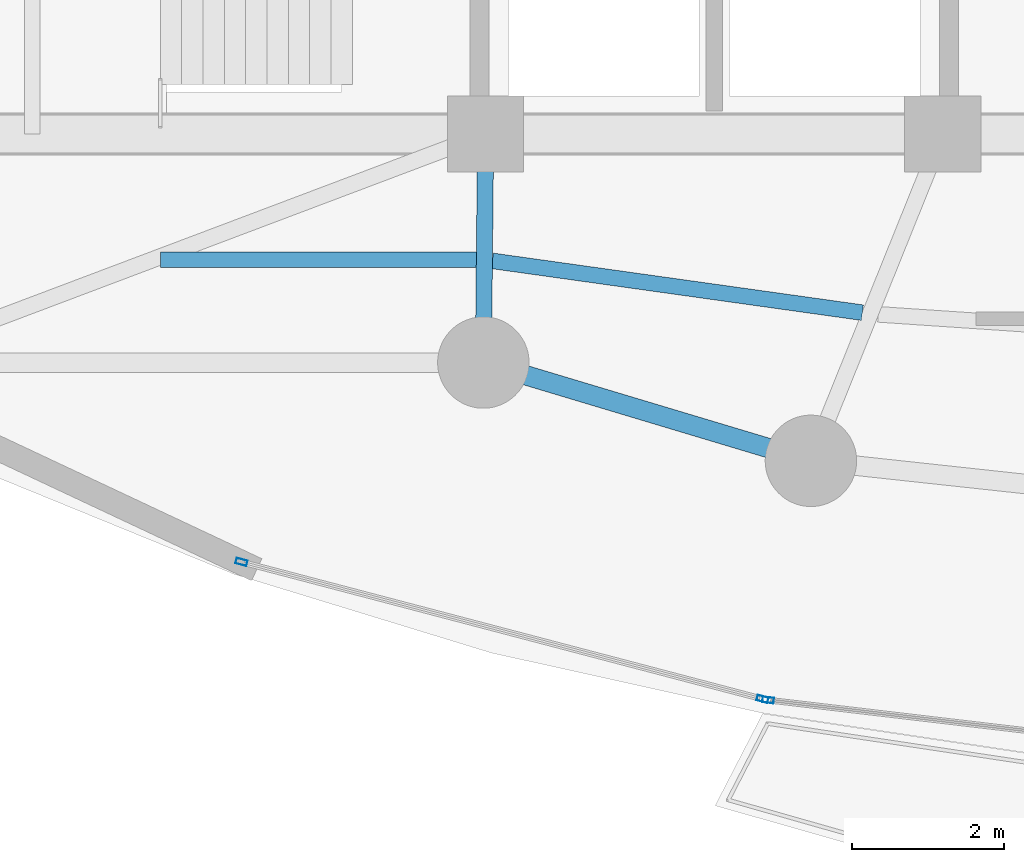
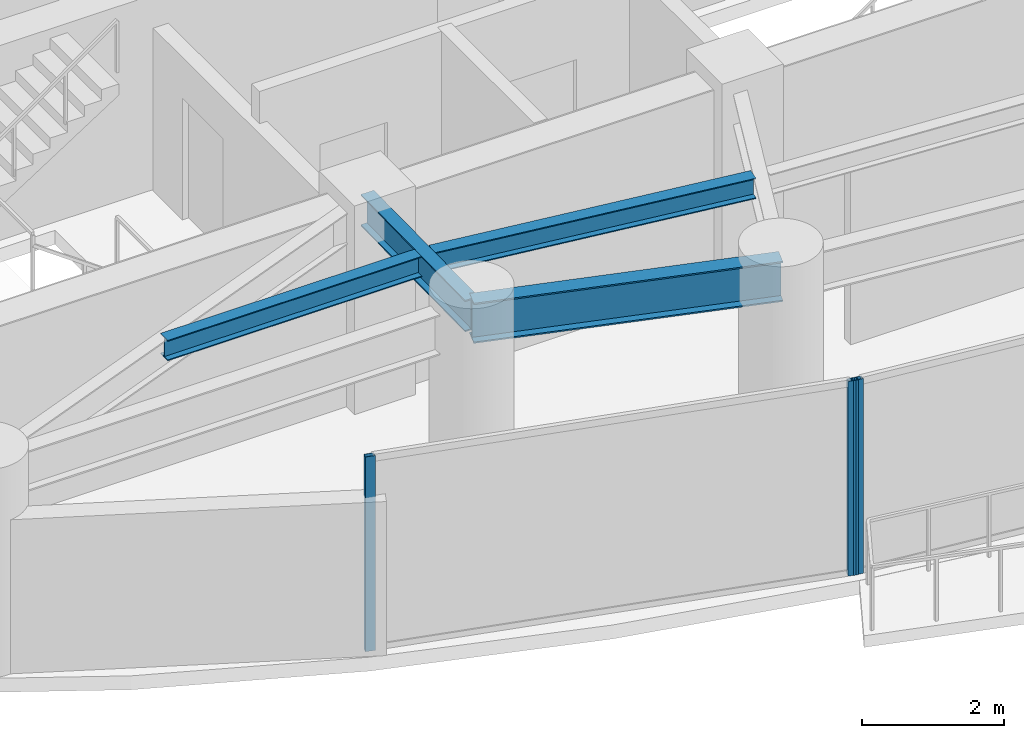
# One storey, part 5 of 34: 4 beams, 3 members, 2 elements without a shape of their own.
"""IFC4 building model written with IfcOpenShell, lengths in metres."""

import ifcopenshell
import ifcopenshell.guid

model = None  # the IFC model being written
_history = None  # IfcOwnerHistory: only IFC2X3 demands one
_inside = {}  # id of a spatial element -> (the spatial element, [elements in it])
_under = {}  # id of a project, library or spatial element -> (it, [spatial elements below it])
_declared = {}  # id of a project -> (the project, [libraries it declares])
_typed = {}  # id of a type object -> (the type object, [elements of that type])
_made_of = {}  # id of a material, layer set ... -> (it, [elements and type objects made of it])


def new_model(schema):
    """Start an empty IFC model of exactly this schema.

    Asked for "IFC4X3", IfcOpenShell would pick the latest addendum, in which some entities
    have other attributes; the version numbers below select the first issue.
    IFC2X3 requires an IfcOwnerHistory on every rooted entity: one is made here for all.
    """
    global model, _history
    if schema == "IFC4X3":
        model = ifcopenshell.file(schema_version=(4, 3, 0, 0))
    else:
        model = ifcopenshell.file(schema=schema)
    _inside.clear()
    _under.clear()
    _declared.clear()
    _typed.clear()
    _made_of.clear()
    _history = None
    if model.schema == "IFC2X3":
        org = make("IfcOrganization", Name="unknown")
        user = make(
            "IfcPersonAndOrganization",
            ThePerson=make("IfcPerson", FamilyName="unknown"),
            TheOrganization=org,
        )
        app = make(
            "IfcApplication",
            ApplicationDeveloper=org,
            Version="unknown",
            ApplicationFullName="unknown",
            ApplicationIdentifier="unknown",
        )
        _history = make(
            "IfcOwnerHistory",
            OwningUser=user,
            OwningApplication=app,
            ChangeAction="ADDED",
            CreationDate=0,
        )
    return model


def make(cls, **values):
    """One entity of the class cls with the attributes given. An attribute that is None is left unset."""
    return model.create_entity(
        cls, **{name: value for name, value in values.items() if value is not None}
    )


def rooted(cls, **values):
    """An entity with a GlobalId (a new one), such as an element, a storey or a relation."""
    return make(cls, GlobalId=ifcopenshell.guid.new(), OwnerHistory=_history, **values)


def si_unit(unit_type, name, prefix=None):
    """IfcSIUnit, for example si_unit("LENGTHUNIT", "METRE", prefix="MILLI")."""
    return make("IfcSIUnit", UnitType=unit_type, Prefix=prefix, Name=name)


def assignment(units):
    """IfcUnitAssignment: the units of a project."""
    return None if units is None else make("IfcUnitAssignment", Units=units)


def point(xyz):
    """IfcCartesianPoint."""
    return None if xyz is None else make("IfcCartesianPoint", Coordinates=xyz)


def direction(xyz):
    """IfcDirection."""
    return None if xyz is None else make("IfcDirection", DirectionRatios=xyz)


def frame(location, z_axis=None, x_axis=None):
    """IfcAxis2Placement3D, a coordinate frame: its origin and axes. An axis left out is left unset."""
    return make(
        "IfcAxis2Placement3D",
        Location=point(location),
        Axis=direction(z_axis),
        RefDirection=direction(x_axis),
    )


def frame_2d(location, x_axis=None):
    """IfcAxis2Placement2D, a coordinate frame in the plane: its origin and x axis."""
    return make(
        "IfcAxis2Placement2D", Location=point(location), RefDirection=direction(x_axis)
    )


def origin():
    """The frame at (0, 0, 0) with its axes left unset."""
    return frame((0.0, 0.0, 0.0))


def origin_2d():
    """The frame at (0, 0) in the plane with its x axis left unset."""
    return frame_2d((0.0, 0.0))


def place(relative_to, where):
    """IfcLocalPlacement: puts the frame where relative to a parent placement (None: the world)."""
    return make(
        "IfcLocalPlacement", PlacementRelTo=relative_to, RelativePlacement=where
    )


def context(
    kind, dimensions, precision=None, world=None, true_north=None, identifier=None
):
    """IfcGeometricRepresentationContext, for example the 3D "Model" context."""
    return make(
        "IfcGeometricRepresentationContext",
        ContextIdentifier=identifier,
        ContextType=kind,
        CoordinateSpaceDimension=dimensions,
        Precision=precision,
        WorldCoordinateSystem=world,
        TrueNorth=true_north,
    )


def subcontext(parent, identifier, kind, view, scale=None):
    """IfcGeometricRepresentationSubContext, for example "Body" below "Model"."""
    return make(
        "IfcGeometricRepresentationSubContext",
        ContextIdentifier=identifier,
        ContextType=kind,
        ParentContext=parent,
        TargetScale=scale,
        TargetView=view,
    )


def project(units=None, contexts=None):
    """IfcProject with its units and contexts."""
    return rooted(
        "IfcProject",
        Name="project",
        RepresentationContexts=contexts,
        UnitsInContext=assignment(units),
    )


def spatial(cls, under=None, at=None, **own):
    """A site, building, storey or space (cls), placed at a placement, below another one or the project."""
    s = rooted(cls, ObjectPlacement=at, **own)
    if under is not None:
        _under.setdefault(under.id(), (under, []))[1].append(s)
    return s


def profile(cls, at=None, kind="AREA", **sizes):
    """A parametric profile (cls). Its sizes go by their IFC names, for example OverallWidth=200.0."""
    return make(cls, ProfileType=kind, Position=at, **sizes)


def hollow_rectangle(**sizes):
    """IfcRectangleHollowProfileDef."""
    return profile("IfcRectangleHollowProfileDef", **sizes)


def i_section(**sizes):
    """IfcIShapeProfileDef."""
    return profile("IfcIShapeProfileDef", **sizes)


def extrude(swept, where, along, depth):
    """IfcExtrudedAreaSolid: the profile swept, set in the frame where, extruded along a direction by depth."""
    return make(
        "IfcExtrudedAreaSolid",
        SweptArea=swept,
        Position=where,
        ExtrudedDirection=direction(along),
        Depth=depth,
    )


def shape(context_of_items, identifier, shape_type, items):
    """IfcShapeRepresentation: the items that make up one representation, for example the "Body"."""
    return make(
        "IfcShapeRepresentation",
        ContextOfItems=context_of_items,
        RepresentationIdentifier=identifier,
        RepresentationType=shape_type,
        Items=items,
    )


def material(Name=None, Category=None):
    """IfcMaterial."""
    return make("IfcMaterial", Name=Name, Category=Category)


def layer(
    of_material, thickness, ventilated=None, Name=None, Category=None, Priority=None
):
    """IfcMaterialLayer: one layer of a wall or slab, of a material (None: an air gap)."""
    return make(
        "IfcMaterialLayer",
        Material=of_material,
        LayerThickness=thickness,
        IsVentilated=ventilated,
        Name=Name,
        Category=Category,
        Priority=Priority,
    )


def layer_set(layers, Name=None):
    """IfcMaterialLayerSet."""
    return make("IfcMaterialLayerSet", MaterialLayers=layers, LayerSetName=Name)


def material_profile(
    of_material, cross_section, Name=None, Category=None, Priority=None
):
    """IfcMaterialProfile: a cross section and its material."""
    return make(
        "IfcMaterialProfile",
        Name=Name,
        Material=of_material,
        Profile=cross_section,
        Priority=Priority,
        Category=Category,
    )


def profile_set(profiles, Name=None, composite=None):
    """IfcMaterialProfileSet."""
    return make(
        "IfcMaterialProfileSet",
        Name=Name,
        MaterialProfiles=profiles,
        CompositeProfile=composite,
    )


def made_of(thing, what):
    """Note that an element or type object is made of a material, layer set ...; save() writes the relation."""
    if what is not None:
        _made_of.setdefault(what.id(), (what, []))[1].append(thing)
    return thing


def type_object(cls, material=None, **own):
    """A type object (cls), such as IfcWallType, which elements share."""
    return made_of(rooted(cls, **own), material)


def element(
    cls,
    number,
    at=None,
    inside=None,
    cuts=None,
    type_object=None,
    material=None,
    context=None,
    identifier="Body",
    shape_type=None,
    held_by="IfcProductDefinitionShape",
    body=None,
    shapes=None,
    **own,
):
    """One element of the class cls, such as IfcWall. Its Tag is "e" and its number.

    at: its placement. inside: the storey or other place that contains it. cuts: it is an
    opening in that element (IfcRelVoidsElement). A single representation is given by context,
    identifier, shape_type and body (its items); several are given by shapes. held_by: the class
    of the entity that holds the representations. save() writes the other relations.
    """
    e = rooted(cls, Tag="e%d" % number, ObjectPlacement=at, **own)
    if body is not None:
        shapes = [shape(context, identifier, shape_type, body)]
    if shapes is not None:
        e.Representation = make(held_by, Representations=shapes)
    if inside is not None:
        _inside.setdefault(inside.id(), (inside, []))[1].append(e)
    if cuts is not None:
        rooted(
            "IfcRelVoidsElement", RelatingBuildingElement=cuts, RelatedOpeningElement=e
        )
    if type_object is not None:
        _typed.setdefault(type_object.id(), (type_object, []))[1].append(e)
    return made_of(e, material)


def aggregate(whole, parts):
    """IfcRelAggregates: a whole, such as a stair, and the parts it consists of."""
    return rooted("IfcRelAggregates", RelatingObject=whole, RelatedObjects=parts)


def save(model, path):
    """Write the relations noted so far, then the file.

    IfcRelAggregates (storeys below a building ...), IfcRelContainedInSpatialStructure (elements
    in a storey), IfcRelDefinesByType, IfcRelAssociatesMaterial and IfcRelDeclares: one each for
    every whole, place, type object, material and project.
    """
    for whole, parts in _under.values():
        aggregate(whole, parts)
    for where, things in _inside.values():
        rooted(
            "IfcRelContainedInSpatialStructure",
            RelatedElements=things,
            RelatingStructure=where,
        )
    for kind, things in _typed.values():
        rooted("IfcRelDefinesByType", RelatedObjects=things, RelatingType=kind)
    for what, things in _made_of.values():
        rooted("IfcRelAssociatesMaterial", RelatedObjects=things, RelatingMaterial=what)
    for by, libraries in _declared.values():
        rooted("IfcRelDeclares", RelatingContext=by, RelatedDefinitions=libraries)
    model.write(path)


model = new_model("IFC4")

# Units and contexts
model_context = context("Model", 3, precision=1e-05, world=origin(), true_north=direction((0.0, 1.0)))
body_context = subcontext(model_context, "Body", "Model", "MODEL_VIEW")
ifc_project = project(units=[si_unit("LENGTHUNIT", "METRE"), si_unit("AREAUNIT", "SQUARE_METRE"), si_unit("VOLUMEUNIT", "CUBIC_METRE"), si_unit("PLANEANGLEUNIT", "RADIAN"), si_unit("MASSUNIT", "GRAM", prefix="KILO")], contexts=[model_context])

# Site, building, storey
site_placement = place(None, origin())
site = spatial("IfcSite", under=ifc_project, at=site_placement, CompositionType="ELEMENT")
building_placement = place(site_placement, origin())
building = spatial("IfcBuilding", under=site, at=building_placement, Name="Kazevale Care Tower and Concert Hall", CompositionType="ELEMENT")
storey_placement = place(building_placement, frame((0.0, 0.0, 174.60009765625)))
storey = spatial("IfcBuildingStorey", under=building, at=storey_placement, Name="L46", CompositionType="ELEMENT", Elevation=174.60009765625)

# Curtain wall, member
ifc_material_1 = material(Name="Aluminium 6063-T6 and Low-E Glass", Category="aluminium")
ifc_layer = layer(ifc_material_1, 0.179931640625)
ifc_layer_set = layer_set([ifc_layer], Name="Aluminium 6063-T6 and Low-E Glass")
curtain_wall_type = type_object("IfcCurtainWallType", Name="Sheltered Concave Balcony Curtain Wall CW-5", PredefinedType="NOTDEFINED", material=ifc_layer_set)
curtain_wall_1_placement = place(storey_placement, origin())
curtain_wall_1 = element("IfcCurtainWall", 1, at=curtain_wall_1_placement, inside=storey, type_object=curtain_wall_type, Name="cw:L46:f07", PredefinedType="NOTDEFINED")
ifc_material_2 = material(Name="Aluminium 6063-T6", Category="aluminium")
ifc_material_profile_1 = material_profile(ifc_material_2, hollow_rectangle(XDim=0.074951171875, YDim=0.14990234375, WallThickness=0.00390625, at=origin_2d()), Name="ALU75x150x4")
ifc_profile_set_1 = profile_set([ifc_material_profile_1], Name="Aluminium 6063-T6")
member_type = type_object("IfcMemberType", Name="CW-5 Mullion ALU75x150x4", PredefinedType="MULLION", material=ifc_profile_set_1)
member_1_placement = place(storey_placement, frame((33.708251953125, 16.169677734375, 0.0), z_axis=(0.0, 0.0, 1.0), x_axis=(-0.117372179238, -0.993087997884, 0.0)))
member_1 = element("IfcMember", 2, at=member_1_placement, type_object=member_type, Name="CW-5 mullion 2", PredefinedType="MULLION", context=body_context, shape_type="SweptSolid", body=[
    extrude(hollow_rectangle(XDim=0.074951171875, YDim=0.14990234375, WallThickness=0.00390625, at=origin_2d()), origin(), (0.0, 0.0, 1.0), 3.35986328125),
])
aggregate(curtain_wall_1, [member_1])

# Curtain wall, members
curtain_wall_2_placement = place(storey_placement, origin())
curtain_wall_2 = element("IfcCurtainWall", 3, at=curtain_wall_2_placement, inside=storey, type_object=curtain_wall_type, Name="cw:L46:f08", PredefinedType="NOTDEFINED")
member_2_placement = place(storey_placement, frame((33.634765625, 16.18359375, 0.0), z_axis=(0.0, 0.0, 1.0), x_axis=(-0.254238458229, -0.967141564797, 0.0)))
member_2 = element("IfcMember", 4, at=member_2_placement, type_object=member_type, Name="CW-5 mullion 1", PredefinedType="MULLION", context=body_context, shape_type="SweptSolid", body=[
    extrude(hollow_rectangle(XDim=0.074951171875, YDim=0.14990234375, WallThickness=0.00390625, at=origin_2d()), origin(), (0.0, 0.0, 1.0), 3.35986328125),
])
member_3_placement = place(storey_placement, frame((26.795166015625, 17.9814453125, 0.0), z_axis=(0.0, 0.0, 1.0), x_axis=(-0.254238458229, -0.967141564797, 0.0)))
member_3 = element("IfcMember", 5, at=member_3_placement, type_object=member_type, Name="CW-5 mullion 2", PredefinedType="MULLION", context=body_context, shape_type="SweptSolid", body=[
    extrude(hollow_rectangle(XDim=0.074951171875, YDim=0.14990234375, WallThickness=0.00390625, at=origin_2d()), origin(), (0.0, 0.0, 1.0), 3.35986328125),
])
aggregate(curtain_wall_2, [member_2, member_3])

# Beams
ifc_material_3 = material(Name="Steel ASTM A572 Gr 50", Category="steel")
ifc_material_profile_2 = material_profile(ifc_material_3, i_section(OverallWidth=0.2119140625, OverallDepth=0.5439453125, WebThickness=0.01318359375, FlangeThickness=0.021240234375, at=origin_2d()), Name="W530x123")
ifc_profile_set_2 = profile_set([ifc_material_profile_2], Name="Steel ASTM A572 Gr 50")
beam_type_1 = type_object("IfcBeamType", Name="Radial Floor Girder W530x123", PredefinedType="BEAM", material=ifc_profile_set_2)
beam_1_placement = place(storey_placement, frame((30.0, 23.60009765625, 3.087890625), z_axis=(-0.010009264196, -0.99994990606, 0.0), x_axis=(0.99994990606, -0.010009264196, 0.0)))
element("IfcBeam", 6, at=beam_1_placement, inside=storey, type_object=beam_type_1, Name="beam:L46:rad:11", PredefinedType="BEAM", context=body_context, shape_type="SweptSolid", body=[
    extrude(i_section(OverallWidth=0.2119140625, OverallDepth=0.5439453125, WebThickness=0.01318359375, FlangeThickness=0.021240234375, at=origin_2d()), origin(), (0.0, 0.0, 1.0), 3.000244140625),
])
ifc_material_profile_3 = material_profile(ifc_material_3, i_section(OverallWidth=0.205078125, OverallDepth=0.35400390625, WebThickness=0.009521484375, FlangeThickness=0.016845703125, at=origin_2d()), Name="W360x79")
ifc_profile_set_3 = profile_set([ifc_material_profile_3], Name="Steel ASTM A572 Gr 50")
beam_type_2 = type_object("IfcBeamType", Name="Secondary Floor Joist W360x79", PredefinedType="JOIST", material=ifc_profile_set_3)
beam_2_placement = place(storey_placement, frame((25.73291015625, 21.949951171875, 3.182861328125), z_axis=(1.0, 0.0, 0.0), x_axis=(0.0, 1.0, 0.0)))
element("IfcBeam", 7, at=beam_2_placement, inside=storey, type_object=beam_type_2, Name="beam:L46:joist:10", PredefinedType="JOIST", context=body_context, shape_type="SweptSolid", body=[
    extrude(i_section(OverallWidth=0.205078125, OverallDepth=0.35400390625, WebThickness=0.009521484375, FlangeThickness=0.016845703125, at=origin_2d()), origin(), (0.0, 0.0, 1.0), 4.14501953125),
])
beam_3_placement = place(storey_placement, frame((30.0869140625, 21.93505859375, 3.182861328125), z_axis=(0.990340789942, -0.138654678164, 0.0), x_axis=(0.138654678164, 0.990340789942, 0.0)))
element("IfcBeam", 8, at=beam_3_placement, inside=storey, type_object=beam_type_2, Name="beam:L46:joist:11", PredefinedType="JOIST", context=body_context, shape_type="SweptSolid", body=[
    extrude(i_section(OverallWidth=0.205078125, OverallDepth=0.35400390625, WebThickness=0.009521484375, FlangeThickness=0.016845703125, at=origin_2d()), origin(), (0.0, 0.0, 1.0), 4.905517578125),
])
ifc_material_profile_4 = material_profile(ifc_material_3, i_section(OverallWidth=0.256103515625, OverallDepth=0.693115234375, WebThickness=0.014404296875, FlangeThickness=0.023681640625, at=origin_2d()), Name="W690x170")
ifc_profile_set_4 = profile_set([ifc_material_profile_4], Name="Steel ASTM A572 Gr 50")
beam_type_3 = type_object("IfcBeamType", Name="Waist Ring Beam W690x170", PredefinedType="BEAM", material=ifc_profile_set_4)
beam_4_placement = place(storey_placement, frame((29.969970703125, 20.60009765625, 3.013427734375), z_axis=(0.957824788464, -0.287352874709, 0.0), x_axis=(0.287352874709, 0.957824788464, 0.0)))
element("IfcBeam", 9, at=beam_4_placement, inside=storey, type_object=beam_type_3, Name="beam:L46:ring:11", PredefinedType="BEAM", context=body_context, shape_type="SweptSolid", body=[
    extrude(i_section(OverallWidth=0.256103515625, OverallDepth=0.693115234375, WebThickness=0.014404296875, FlangeThickness=0.023681640625, at=origin_2d()), origin(), (0.0, 0.0, 1.0), 4.489501953125),
])

save(model, "model.ifc")
